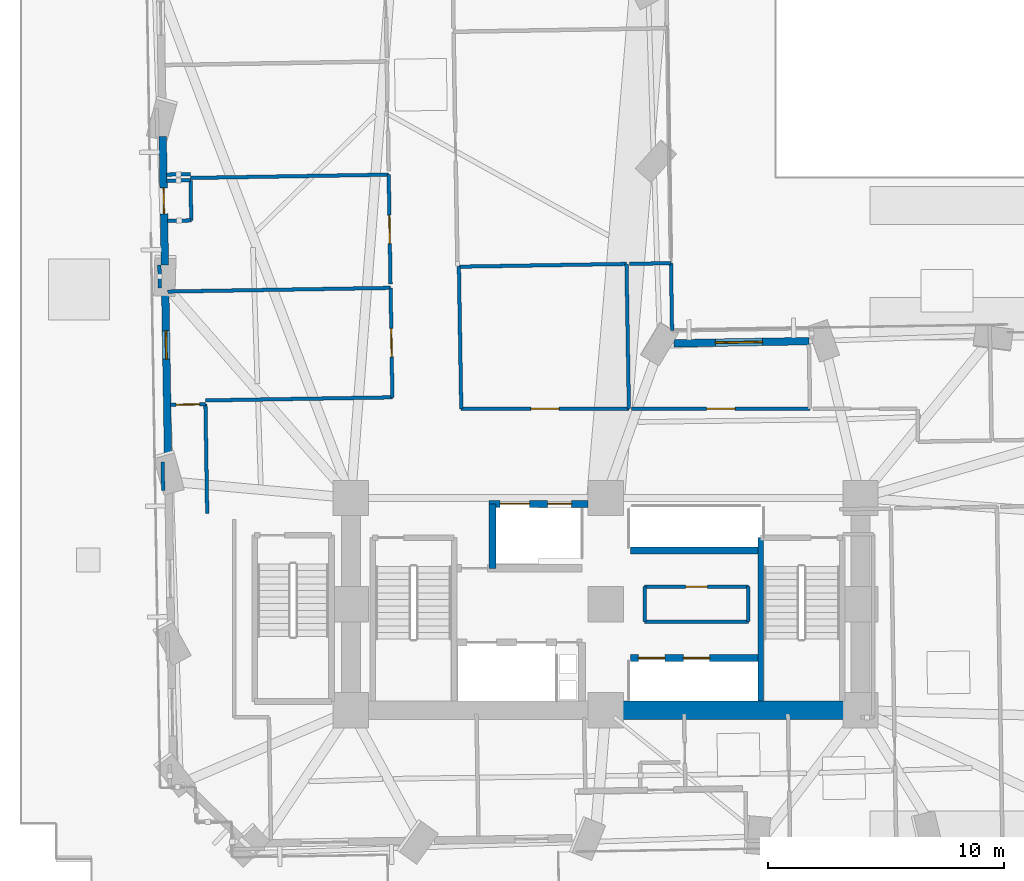
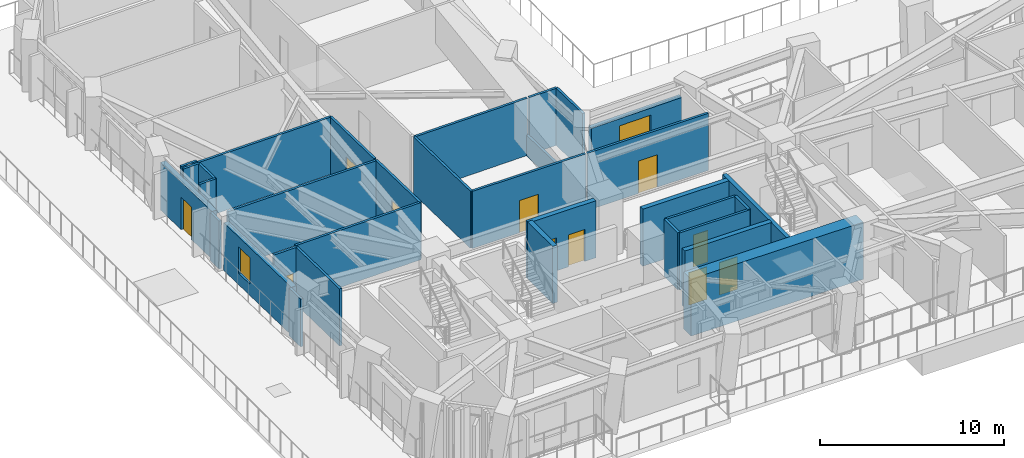
# One storey, part 7 of 17: 33 walls, 11 doors, 2 windows, 13 openings.
"""IFC4 building model written with IfcOpenShell, lengths in metres."""

from ifc_helpers import new_model, si_unit, direction, frame, frame_2d, origin, place, context, subcontext, project, spatial, rectangle, extrude, material, layer, layer_set, type_object, element, fill, save


model = new_model("IFC4")

# Units and contexts
model_context = context("Model", 3, precision=1e-05, world=origin(), true_north=direction((0.0, 1.0)))
body_context = subcontext(model_context, "Body", "Model", "MODEL_VIEW")
ifc_project = project(units=[si_unit("LENGTHUNIT", "METRE"), si_unit("AREAUNIT", "SQUARE_METRE"), si_unit("VOLUMEUNIT", "CUBIC_METRE"), si_unit("PLANEANGLEUNIT", "RADIAN"), si_unit("MASSUNIT", "GRAM", prefix="KILO")], contexts=[model_context])

# Site, building, storey
site_placement = place(None, origin())
site = spatial("IfcSite", under=ifc_project, at=site_placement, CompositionType="ELEMENT")
building_placement = place(site_placement, origin())
building = spatial("IfcBuilding", under=site, at=building_placement, Name="Gaonmaruhae Medical Tower", CompositionType="ELEMENT")
storey_placement = place(building_placement, frame((0.0, 0.0, 27.0)))
storey = spatial("IfcBuildingStorey", under=building, at=storey_placement, Name="L05", CompositionType="ELEMENT", Elevation=27.0)

# Wall
ifc_material_1 = material(Name="Concrete C60/75", Category="concrete")
ifc_layer_1 = layer(ifc_material_1, 0.800048828125)
ifc_layer_set_1 = layer_set([ifc_layer_1], Name="Concrete C60/75")
wall_type_1 = type_object("IfcWallType", Name="CW-800 Lower Core Shear Wall", PredefinedType="SHEAR", material=ifc_layer_set_1)
wall_1_placement = place(storey_placement, frame((24.800048828125, 7.800048828125, 0.0), z_axis=(0.0, 0.0, 1.0), x_axis=(1.0, 0.0, 0.0)))
element("IfcWall", 1, at=wall_1_placement, inside=storey, type_object=wall_type_1, Name="L05 Core Shear Wall CSW-S2", PredefinedType="SHEAR", context=body_context, shape_type="SweptSolid", body=[
    extrude(rectangle(XDim=10.800048828125, YDim=0.800048828125, at=frame_2d((5.39990234375, 0.0))), origin(), (0.0, 0.0, 1.0), 3.780029296875),
])

# Wall, opening, window
ifc_material_2 = material(Name="Precast concrete C45/55", Category="concrete")
ifc_layer_2 = layer(ifc_material_2, 0.320068359375)
ifc_layer_set_2 = layer_set([ifc_layer_2], Name="Precast concrete C45/55")
wall_type_2 = type_object("IfcWallType", Name="EW-320 Lower Precast Masonry-Frame Facade Wall", PredefinedType="SOLIDWALL", material=ifc_layer_set_2)
wall_2_placement = place(storey_placement, frame((27.690185546875, 23.351806640625, 0.0), z_axis=(0.0, 0.0, 1.0), x_axis=(0.999862237026, 0.016598402607, 0.0)))
wall_2 = element("IfcWall", 2, at=wall_2_placement, inside=storey, type_object=wall_type_2, Name="L05 Precast Masonry-Frame Wall EN04-KN01", PredefinedType="SOLIDWALL", context=body_context, shape_type="SweptSolid", body=[
    extrude(rectangle(XDim=5.736328125, YDim=0.320068359375, at=frame_2d((2.8681640625, 0.0))), origin(), (0.0, 0.0, 1.0), 3.1650390625),
])
opening_1_placement = place(wall_2_placement, frame((1.756591796875, 0.0, 0.75)))
opening_1 = element("IfcOpeningElement", 3, at=opening_1_placement, cuts=wall_2, Name="Opening WN-02", PredefinedType="OPENING", context=body_context, shape_type="SweptSolid", body=[
    extrude(rectangle(XDim=2.0, YDim=1.949951171875, at=frame_2d((1.0, 0.97509765625))), frame((0.0, 0.169921875, 0.0), z_axis=(0.0, -1.0, 0.0), x_axis=(1.0, 0.0, 0.0)), (0.0, 0.0, 1.0), 0.340087890625),
])
ifc_material_3 = material(Name="Anodised aluminium and Low-E double glazing", Category="aluminium")
window_type_1 = type_object("IfcWindowType", Name="WN-02 Double-Bed Ward Punched Window 2000x1950", PartitioningType="SINGLE_PANEL", PredefinedType="WINDOW", material=ifc_material_3)
window_1_placement = place(opening_1_placement, origin())
window_1 = element("IfcWindow", 4, at=window_1_placement, inside=storey, type_object=window_type_1, Name="L05 Modular Facade Window EN04", OverallHeight=1.949951171875, OverallWidth=2.0, PartitioningType="SINGLE_PANEL", PredefinedType="WINDOW", context=body_context, shape_type="SweptSolid", body=[
    extrude(rectangle(XDim=2.0, YDim=1.949951171875, at=frame_2d((1.0, 0.97509765625))), frame((0.0, 0.030029296875, 0.0), z_axis=(0.0, -1.0, 0.0), x_axis=(1.0, 0.0, 0.0)), (0.0, 0.0, 1.0), 0.06005859375),
])
fill(opening_1, window_1)

# Wall, opening, door
wall_3_placement = place(storey_placement, frame((6.114990234375, 26.674560546875, 0.0), z_axis=(0.0, 0.0, 1.0), x_axis=(-0.016566358114, 0.999862768473, 0.0)))
wall_3 = element("IfcWall", 5, at=wall_3_placement, inside=storey, type_object=wall_type_2, Name="L05 Precast Masonry-Frame Wall W03-W04", PredefinedType="SOLIDWALL", context=body_context, shape_type="SweptSolid", body=[
    extrude(rectangle(XDim=5.43798828125, YDim=0.320068359375, at=frame_2d((2.718994140625, 0.0))), origin(), (0.0, 0.0, 1.0), 3.1650390625),
])
opening_2_placement = place(wall_3_placement, frame((2.1689453125, 0.0, 0.0)))
opening_2 = element("IfcOpeningElement", 6, at=opening_2_placement, cuts=wall_3, Name="Opening TD-01", PredefinedType="OPENING", context=body_context, shape_type="SweptSolid", body=[
    extrude(rectangle(XDim=1.10009765625, YDim=2.14990234375, at=frame_2d((0.550048828125, 1.074951171875))), frame((0.0, 0.169921875, 0.0), z_axis=(0.0, -1.0, 0.0), x_axis=(1.0, 0.0, 0.0)), (0.0, 0.0, 1.0), 0.340087890625),
])
ifc_material_4 = material(Name="Anodised aluminium and toughened safety glass", Category="aluminium")
door_type_1 = type_object("IfcDoorType", Name="TD-01 Terrace & Sky Garden Glazed Door 1100x2150", OperationType="NOTDEFINED", PredefinedType="DOOR", material=ifc_material_4)
door_1_placement = place(opening_2_placement, origin())
door_1 = element("IfcDoor", 7, at=door_1_placement, inside=storey, type_object=door_type_1, Name="L05 Outdoor Terrace Access Door SLB-L05-PODROOF1", OperationType="SINGLE_SWING_RIGHT", OverallHeight=2.14990234375, OverallWidth=1.10009765625, PredefinedType="DOOR", context=body_context, shape_type="SweptSolid", body=[
    extrude(rectangle(XDim=1.10009765625, YDim=2.14990234375, at=frame_2d((0.550048828125, 1.074951171875))), frame((0.0, 0.02490234375, 0.0), z_axis=(0.0, -1.0, 0.0), x_axis=(1.0, 0.0, 0.0)), (0.0, 0.0, 1.0), 0.050048828125),
])
fill(opening_2, door_1)

# Wall, opening, window
wall_4_placement = place(storey_placement, frame((6.253662109375, 18.323974609375, 0.0), z_axis=(0.0, 0.0, 1.0), x_axis=(-0.016592528305, 0.999862334526, 0.0)))
wall_4 = element("IfcWall", 8, at=wall_4_placement, inside=storey, type_object=wall_type_2, Name="L05 Precast Masonry-Frame Wall W04-W05", PredefinedType="SOLIDWALL", context=body_context, shape_type="SweptSolid", body=[
    extrude(rectangle(XDim=7.13623046875, YDim=0.320068359375, at=frame_2d((3.568115234375, 0.0))), origin(), (0.0, 0.0, 1.0), 3.1650390625),
])
opening_3_placement = place(wall_4_placement, frame((4.364013671875, 0.0, 0.75)))
opening_3 = element("IfcOpeningElement", 9, at=opening_3_placement, cuts=wall_4, Name="Opening WN-05", PredefinedType="OPENING", context=body_context, shape_type="SweptSolid", body=[
    extrude(rectangle(XDim=1.199951171875, YDim=1.75, at=frame_2d((0.60009765625, 0.875))), frame((0.0, 0.169921875, 0.0), z_axis=(0.0, -1.0, 0.0), x_axis=(1.0, 0.0, 0.0)), (0.0, 0.0, 1.0), 0.340087890625),
])
window_type_2 = type_object("IfcWindowType", Name="WN-05 Support & Staff Punched Window 1200x1750", PartitioningType="SINGLE_PANEL", PredefinedType="WINDOW", material=ifc_material_3)
window_2_placement = place(opening_3_placement, origin())
window_2 = element("IfcWindow", 10, at=window_2_placement, inside=storey, type_object=window_type_2, Name="L05 Modular Facade Window W04", OverallHeight=1.75, OverallWidth=1.199951171875, PartitioningType="SINGLE_PANEL", PredefinedType="WINDOW", context=body_context, shape_type="SweptSolid", body=[
    extrude(rectangle(XDim=1.199951171875, YDim=1.75, at=frame_2d((0.60009765625, 0.875))), frame((0.0, 0.030029296875, 0.0), z_axis=(0.0, -1.0, 0.0), x_axis=(1.0, 0.0, 0.0)), (0.0, 0.0, 1.0), 0.06005859375),
])
fill(opening_3, window_2)

# Wall
ifc_material_5 = material(Name="Gypsum board partition", Category="gypsum")
ifc_layer_3 = layer(ifc_material_5, 0.14990234375)
ifc_layer_set_3 = layer_set([ifc_layer_3], Name="Gypsum board partition")
wall_type_3 = type_object("IfcWallType", Name="PW-150 Rated Clinical Corridor Partition", PredefinedType="PARTITIONING", material=ifc_layer_set_3)
wall_5_placement = place(storey_placement, frame((26.449951171875, 11.56005859375, 0.0), z_axis=(0.0, 0.0, 1.0), x_axis=(0.0, 1.0, 0.0)))
element("IfcWall", 11, at=wall_5_placement, inside=storey, type_object=wall_type_3, Name="L05 Interior Partition L05-CS1-1", PredefinedType="PARTITIONING", context=body_context, shape_type="SweptSolid", body=[
    extrude(rectangle(XDim=1.47998046875, YDim=0.14990234375, at=frame_2d((0.739990234375, 0.0))), origin(), (0.0, 0.0, 1.0), 3.780029296875),
])

# Wall, opening, door
wall_6_placement = place(storey_placement, frame((26.449951171875, 13.0400390625, 0.0), z_axis=(0.0, 0.0, 1.0), x_axis=(1.0, 0.0, 0.0)))
wall_6 = element("IfcWall", 12, at=wall_6_placement, inside=storey, type_object=wall_type_3, Name="L05 Interior Partition L05-CS1-2", PredefinedType="PARTITIONING", context=body_context, shape_type="SweptSolid", body=[
    extrude(rectangle(XDim=4.400146484375, YDim=0.14990234375, at=frame_2d((2.2001953125, 0.0))), origin(), (0.0, 0.0, 1.0), 3.780029296875),
])
opening_4_placement = place(wall_6_placement, frame((1.739990234375, 0.0, 0.0)))
opening_4 = element("IfcOpeningElement", 13, at=opening_4_placement, cuts=wall_6, Name="Opening UD-01", PredefinedType="OPENING", context=body_context, shape_type="SweptSolid", body=[
    extrude(rectangle(XDim=0.919921875, YDim=2.10009765625, at=frame_2d((0.4599609375, 1.050048828125))), frame((0.0, 0.0849609375, 0.0), z_axis=(0.0, -1.0, 0.0), x_axis=(1.0, 0.0, 0.0)), (0.0, 0.0, 1.0), 0.169921875),
])
ifc_material_6 = material(Name="Powder-coated steel utility door", Category="steel")
door_type_2 = type_object("IfcDoorType", Name="UD-01 Toilet, Utility & Housekeeping Door 920x2100", OperationType="NOTDEFINED", PredefinedType="DOOR", material=ifc_material_6)
door_2_placement = place(opening_4_placement, origin())
door_2 = element("IfcDoor", 14, at=door_2_placement, inside=storey, type_object=door_type_2, Name="L05 Clean Linen Utility Store Door", OperationType="SINGLE_SWING_LEFT", OverallHeight=2.10009765625, OverallWidth=0.919921875, PredefinedType="DOOR", context=body_context, shape_type="SweptSolid", body=[
    extrude(rectangle(XDim=0.919921875, YDim=2.10009765625, at=frame_2d((0.4599609375, 1.050048828125))), frame((0.0, 0.02490234375, 0.0), z_axis=(0.0, -1.0, 0.0), x_axis=(1.0, 0.0, 0.0)), (0.0, 0.0, 1.0), 0.050048828125),
])
fill(opening_4, door_2)

# Walls
wall_7_placement = place(storey_placement, frame((30.85009765625, 13.0400390625, 0.0), z_axis=(0.0, 0.0, 1.0), x_axis=(0.0, -1.0, 0.0)))
element("IfcWall", 15, at=wall_7_placement, inside=storey, type_object=wall_type_3, Name="L05 Interior Partition L05-CS1-3", PredefinedType="PARTITIONING", context=body_context, shape_type="SweptSolid", body=[
    extrude(rectangle(XDim=1.47998046875, YDim=0.14990234375, at=frame_2d((0.739990234375, 0.0))), origin(), (0.0, 0.0, 1.0), 3.780029296875),
])
wall_8_placement = place(storey_placement, frame((30.85009765625, 11.56005859375, 0.0), z_axis=(0.0, 0.0, 1.0), x_axis=(-1.0, 0.0, 0.0)))
element("IfcWall", 16, at=wall_8_placement, inside=storey, type_object=wall_type_3, Name="L05 Interior Partition L05-CS1-4", PredefinedType="PARTITIONING", context=body_context, shape_type="SweptSolid", body=[
    extrude(rectangle(XDim=4.400146484375, YDim=0.14990234375, at=frame_2d((2.2001953125, 0.0))), origin(), (0.0, 0.0, 1.0), 3.780029296875),
])
wall_9_placement = place(storey_placement, frame((7.8359375, 20.77197265625, 0.0), z_axis=(0.0, 0.0, 1.0), x_axis=(0.015944501981, -0.999872878348, 0.0)))
element("IfcWall", 17, at=wall_9_placement, inside=storey, type_object=wall_type_3, Name="L05 Interior Partition L05-WCL13-43", PredefinedType="PARTITIONING", context=body_context, shape_type="SweptSolid", body=[
    extrude(rectangle(XDim=4.639404296875, YDim=0.14990234375, at=frame_2d((2.31982421875, 0.0))), origin(), (0.0, 0.0, 1.0), 3.780029296875),
])
wall_10_placement = place(storey_placement, frame((6.04296875, 17.110107421875, 0.0), z_axis=(0.0, 0.0, 1.0), x_axis=(-0.01654333702, 0.999863149636, 0.0)))
element("IfcWall", 18, at=wall_10_placement, inside=storey, type_object=wall_type_3, Name="L05 Interior Partition L05-WCL13-45", PredefinedType="PARTITIONING", context=body_context, shape_type="SweptSolid", body=[
    extrude(rectangle(XDim=1.210205078125, YDim=0.14990234375, at=frame_2d((0.60498046875, 0.0))), origin(), (0.0, 0.0, 1.0), 3.1650390625),
])

# Wall, opening, door
wall_11_placement = place(storey_placement, frame((6.347900390625, 20.748046875, 0.0), z_axis=(0.0, 0.0, 1.0), x_axis=(0.999870761908, 0.016076675089, 0.0)))
wall_11 = element("IfcWall", 19, at=wall_11_placement, inside=storey, type_object=wall_type_3, Name="L05 Interior Partition L05-WCL13-46", PredefinedType="PARTITIONING", context=body_context, shape_type="SweptSolid", body=[
    extrude(rectangle(XDim=1.48828125, YDim=0.14990234375, at=frame_2d((0.744140625, 0.0))), origin(), (0.0, 0.0, 1.0), 3.780029296875),
])
opening_5_placement = place(wall_11_placement, frame((0.244140625, 0.0, 0.0)))
opening_5 = element("IfcOpeningElement", 20, at=opening_5_placement, cuts=wall_11, Name="Opening CD-01", PredefinedType="OPENING", context=body_context, shape_type="SweptSolid", body=[
    extrude(rectangle(XDim=1.0, YDim=2.1201171875, at=frame_2d((0.5, 1.06005859375))), frame((0.0, 0.0849609375, 0.0), z_axis=(0.0, -1.0, 0.0), x_axis=(1.0, 0.0, 0.0)), (0.0, 0.0, 1.0), 0.169921875),
])
ifc_material_7 = material(Name="Antimicrobial laminate timber fire door", Category="wood")
door_type_3 = type_object("IfcDoorType", Name="CD-01 Consultation & Physician Office Door 1000x2120", OperationType="NOTDEFINED", PredefinedType="DOOR", material=ifc_material_7)
door_3_placement = place(opening_5_placement, origin())
door_3 = element("IfcDoor", 21, at=door_3_placement, inside=storey, type_object=door_type_3, Name="L05 Specialist Consultation Office Sliding Door", OperationType="SLIDING_TO_LEFT", OverallHeight=2.1201171875, OverallWidth=1.0, PredefinedType="DOOR", context=body_context, shape_type="SweptSolid", body=[
    extrude(rectangle(XDim=1.0, YDim=2.1201171875, at=frame_2d((0.5, 1.06005859375))), frame((0.0, 0.02490234375, 0.0), z_axis=(0.0, -1.0, 0.0), x_axis=(1.0, 0.0, 0.0)), (0.0, 0.0, 1.0), 0.050048828125),
])
fill(opening_5, door_3)

# Wall
wall_12_placement = place(storey_placement, frame((6.238037109375, 25.547119140625, 0.0), z_axis=(0.0, 0.0, 1.0), x_axis=(0.999864045783, 0.016489085771, 0.0)))
element("IfcWall", 22, at=wall_12_placement, inside=storey, type_object=wall_type_3, Name="L05 Interior Partition L05-WOF14-47", PredefinedType="PARTITIONING", context=body_context, shape_type="SweptSolid", body=[
    extrude(rectangle(XDim=9.4462890625, YDim=0.14990234375, at=frame_2d((4.72314453125, 0.0))), origin(), (0.0, 0.0, 1.0), 3.780029296875),
])

# Wall, opening, door
wall_13_placement = place(storey_placement, frame((15.68310546875, 25.702880859375, 0.0), z_axis=(0.0, 0.0, 1.0), x_axis=(0.016365367632, -0.999866078404, 0.0)))
wall_13 = element("IfcWall", 23, at=wall_13_placement, inside=storey, type_object=wall_type_3, Name="L05 Interior Partition L05-WOF14-48", PredefinedType="PARTITIONING", context=body_context, shape_type="SweptSolid", body=[
    extrude(rectangle(XDim=4.6396484375, YDim=0.14990234375, at=frame_2d((2.31982421875, 0.0))), origin(), (0.0, 0.0, 1.0), 3.780029296875),
])
opening_6_placement = place(wall_13_placement, frame((1.7197265625, 0.0, 0.0)))
opening_6 = element("IfcOpeningElement", 24, at=opening_6_placement, cuts=wall_13, Name="Opening CD-02", PredefinedType="OPENING", context=body_context, shape_type="SweptSolid", body=[
    extrude(rectangle(XDim=1.199951171875, YDim=2.14990234375, at=frame_2d((0.60009765625, 1.074951171875))), frame((0.0, 0.0849609375, 0.0), z_axis=(0.0, -1.0, 0.0), x_axis=(1.0, 0.0, 0.0)), (0.0, 0.0, 1.0), 0.169921875),
])
door_type_4 = type_object("IfcDoorType", Name="CD-02 Clinical Treatment & Procedure Door 1200x2150", OperationType="NOTDEFINED", PredefinedType="DOOR", material=ifc_material_7)
door_4_placement = place(opening_6_placement, origin())
door_4 = element("IfcDoor", 25, at=door_4_placement, inside=storey, type_object=door_type_4, Name="L05 Ward Physician Reporting Office Door", OperationType="SINGLE_SWING_RIGHT", OverallHeight=2.14990234375, OverallWidth=1.199951171875, PredefinedType="DOOR", context=body_context, shape_type="SweptSolid", body=[
    extrude(rectangle(XDim=1.199951171875, YDim=2.14990234375, at=frame_2d((0.60009765625, 1.074951171875))), frame((0.0, 0.02490234375, 0.0), z_axis=(0.0, -1.0, 0.0), x_axis=(1.0, 0.0, 0.0)), (0.0, 0.0, 1.0), 0.050048828125),
])
fill(opening_6, door_4)

# Wall
wall_14_placement = place(storey_placement, frame((15.759033203125, 21.06396484375, 0.0), z_axis=(0.0, 0.0, 1.0), x_axis=(-0.999863736357, -0.016507838062, 0.0)))
element("IfcWall", 26, at=wall_14_placement, inside=storey, type_object=wall_type_3, Name="L05 Interior Partition L05-WOF14-49", PredefinedType="PARTITIONING", context=body_context, shape_type="SweptSolid", body=[
    extrude(rectangle(XDim=7.927001953125, YDim=0.14990234375, at=frame_2d((3.96337890625, 0.0))), origin(), (0.0, 0.0, 1.0), 3.780029296875),
])

# Wall, opening, door
wall_15_placement = place(storey_placement, frame((15.60302734375, 30.501953125, 0.0), z_axis=(0.0, 0.0, 1.0), x_axis=(0.01657579721, -0.999862612036, 0.0)))
wall_15 = element("IfcWall", 27, at=wall_15_placement, inside=storey, type_object=wall_type_3, Name="L05 Interior Partition L05-WOF15-50", PredefinedType="PARTITIONING", context=body_context, shape_type="SweptSolid", body=[
    extrude(rectangle(XDim=4.6396484375, YDim=0.14990234375, at=frame_2d((2.31982421875, 0.0))), origin(), (0.0, 0.0, 1.0), 3.780029296875),
])
opening_7_placement = place(wall_15_placement, frame((1.7197265625, 0.0, 0.0)))
opening_7 = element("IfcOpeningElement", 28, at=opening_7_placement, cuts=wall_15, Name="Opening CD-02", PredefinedType="OPENING", context=body_context, shape_type="SweptSolid", body=[
    extrude(rectangle(XDim=1.199951171875, YDim=2.14990234375, at=frame_2d((0.60009765625, 1.074951171875))), frame((0.0, 0.0849609375, 0.0), z_axis=(0.0, -1.0, 0.0), x_axis=(1.0, 0.0, 0.0)), (0.0, 0.0, 1.0), 0.169921875),
])
door_5_placement = place(opening_7_placement, origin())
door_5 = element("IfcDoor", 29, at=door_5_placement, inside=storey, type_object=door_type_4, Name="L05 Ward Physician Reporting Office Door", OperationType="SINGLE_SWING_LEFT", OverallHeight=2.14990234375, OverallWidth=1.199951171875, PredefinedType="DOOR", context=body_context, shape_type="SweptSolid", body=[
    extrude(rectangle(XDim=1.199951171875, YDim=2.14990234375, at=frame_2d((0.60009765625, 1.074951171875))), frame((0.0, 0.02490234375, 0.0), z_axis=(0.0, -1.0, 0.0), x_axis=(1.0, 0.0, 0.0)), (0.0, 0.0, 1.0), 0.050048828125),
])
fill(opening_7, door_5)

# Walls
wall_16_placement = place(storey_placement, frame((5.90087890625, 25.700927734375, 0.0), z_axis=(0.0, 0.0, 1.0), x_axis=(-0.016358243814, 0.999866194978, 0.0)))
element("IfcWall", 30, at=wall_16_placement, inside=storey, type_object=wall_type_3, Name="L05 Interior Partition L05-WOF15-51", PredefinedType="PARTITIONING", context=body_context, shape_type="SweptSolid", body=[
    extrude(rectangle(XDim=0.97021484375, YDim=0.14990234375, at=frame_2d((0.485107421875, 0.0))), origin(), (0.0, 0.0, 1.0), 3.1650390625),
])
wall_17_placement = place(storey_placement, frame((6.218994140625, 28.5458984375, 0.0), z_axis=(0.0, 0.0, 1.0), x_axis=(0.99987398689, 0.015874833566, 0.0)))
element("IfcWall", 31, at=wall_17_placement, inside=storey, type_object=wall_type_3, Name="L05 Interior Partition L05-WOF15-52", PredefinedType="PARTITIONING", context=body_context, shape_type="SweptSolid", body=[
    extrude(rectangle(XDim=1.01513671875, YDim=0.14990234375, at=frame_2d((0.507568359375, 0.0))), origin(), (0.0, 0.0, 1.0), 3.780029296875),
])
wall_18_placement = place(storey_placement, frame((7.23388671875, 28.56201171875, 0.0), z_axis=(0.0, 0.0, 1.0), x_axis=(-0.016370059483, 0.999866001598, 0.0)))
element("IfcWall", 32, at=wall_18_placement, inside=storey, type_object=wall_type_3, Name="L05 Interior Partition L05-WOF15-53", PredefinedType="PARTITIONING", context=body_context, shape_type="SweptSolid", body=[
    extrude(rectangle(XDim=1.7001953125, YDim=0.14990234375, at=frame_2d((0.85009765625, 0.0))), origin(), (0.0, 0.0, 1.0), 3.780029296875),
])
wall_19_placement = place(storey_placement, frame((7.2060546875, 30.261962890625, 0.0), z_axis=(0.0, 0.0, 1.0), x_axis=(-0.99986233944, -0.016592232184, 0.0)))
element("IfcWall", 33, at=wall_19_placement, inside=storey, type_object=wall_type_3, Name="L05 Interior Partition L05-WOF15-54", PredefinedType="PARTITIONING", context=body_context, shape_type="SweptSolid", body=[
    extrude(rectangle(XDim=1.015380859375, YDim=0.14990234375, at=frame_2d((0.5078125, 0.0))), origin(), (0.0, 0.0, 1.0), 3.780029296875),
])
wall_20_placement = place(storey_placement, frame((7.2041015625, 30.363037109375, 0.0), z_axis=(0.0, 0.0, 1.0), x_axis=(0.999863246623, 0.016537474197, 0.0)))
element("IfcWall", 34, at=wall_20_placement, inside=storey, type_object=wall_type_3, Name="L05 Interior Partition L05-WOF15-55", PredefinedType="PARTITIONING", context=body_context, shape_type="SweptSolid", body=[
    extrude(rectangle(XDim=8.400146484375, YDim=0.14990234375, at=frame_2d((4.2001953125, 0.0))), origin(), (0.0, 0.0, 1.0), 3.780029296875),
])
wall_21_placement = place(storey_placement, frame((7.200927734375, 30.52294921875, 0.0), z_axis=(0.0, 0.0, 1.0), x_axis=(-0.999862007837, -0.016612202875, 0.0)))
element("IfcWall", 35, at=wall_21_placement, inside=storey, type_object=wall_type_3, Name="L05 Interior Partition L05-WOF16-58", PredefinedType="PARTITIONING", context=body_context, shape_type="SweptSolid", body=[
    extrude(rectangle(XDim=1.01416015625, YDim=0.14990234375, at=frame_2d((0.507080078125, 0.0))), origin(), (0.0, 0.0, 1.0), 3.780029296875),
])
wall_22_placement = place(storey_placement, frame((18.577880859375, 26.60107421875, 0.0), z_axis=(0.0, 0.0, 1.0), x_axis=(0.999862225883, 0.016599073868, 0.0)))
element("IfcWall", 36, at=wall_22_placement, inside=storey, type_object=wall_type_3, Name="L05 Interior Partition L05-IE01-71", PredefinedType="PARTITIONING", context=body_context, shape_type="SweptSolid", body=[
    extrude(rectangle(XDim=7.10400390625, YDim=0.14990234375, at=frame_2d((3.552001953125, 0.0))), origin(), (0.0, 0.0, 1.0), 3.780029296875),
])
wall_23_placement = place(storey_placement, frame((25.680908203125, 26.718994140625, 0.0), z_axis=(0.0, 0.0, 1.0), x_axis=(0.016621286784, -0.999861856871, 0.0)))
element("IfcWall", 37, at=wall_23_placement, inside=storey, type_object=wall_type_3, Name="L05 Interior Partition L05-IE01-72", PredefinedType="PARTITIONING", context=body_context, shape_type="SweptSolid", body=[
    extrude(rectangle(XDim=6.1396484375, YDim=0.14990234375, at=frame_2d((3.06982421875, 0.0))), origin(), (0.0, 0.0, 1.0), 1.364990234375),
])

# Wall, opening, door
wall_24_placement = place(storey_placement, frame((25.782958984375, 20.580078125, 0.0), z_axis=(0.0, 0.0, 1.0), x_axis=(-1.0, 0.0, 0.0)))
wall_24 = element("IfcWall", 38, at=wall_24_placement, inside=storey, type_object=wall_type_3, Name="L05 Interior Partition L05-IE01-73", PredefinedType="PARTITIONING", context=body_context, shape_type="SweptSolid", body=[
    extrude(rectangle(XDim=7.10498046875, YDim=0.14990234375, at=frame_2d((3.552490234375, 0.0))), origin(), (0.0, 0.0, 1.0), 3.780029296875),
])
opening_8_placement = place(wall_24_placement, frame((2.952392578125, 0.0, 0.0)))
opening_8 = element("IfcOpeningElement", 39, at=opening_8_placement, cuts=wall_24, Name="Opening CD-02", PredefinedType="OPENING", context=body_context, shape_type="SweptSolid", body=[
    extrude(rectangle(XDim=1.199951171875, YDim=2.14990234375, at=frame_2d((0.60009765625, 1.074951171875))), frame((0.0, 0.0849609375, 0.0), z_axis=(0.0, -1.0, 0.0), x_axis=(1.0, 0.0, 0.0)), (0.0, 0.0, 1.0), 0.169921875),
])
door_6_placement = place(opening_8_placement, origin())
door_6 = element("IfcDoor", 40, at=door_6_placement, inside=storey, type_object=door_type_4, Name="L05 Central Clinical Nurse Station Door", OperationType="SINGLE_SWING_LEFT", OverallHeight=2.14990234375, OverallWidth=1.199951171875, PredefinedType="DOOR", context=body_context, shape_type="SweptSolid", body=[
    extrude(rectangle(XDim=1.199951171875, YDim=2.14990234375, at=frame_2d((0.60009765625, 1.074951171875))), frame((0.0, 0.02490234375, 0.0), z_axis=(0.0, -1.0, 0.0), x_axis=(1.0, 0.0, 0.0)), (0.0, 0.0, 1.0), 0.050048828125),
])
fill(opening_8, door_6)

# Walls
wall_25_placement = place(storey_placement, frame((18.677978515625, 20.580078125, 0.0), z_axis=(0.0, 0.0, 1.0), x_axis=(-0.016622469923, 0.999861837202, 0.0)))
element("IfcWall", 41, at=wall_25_placement, inside=storey, type_object=wall_type_3, Name="L05 Interior Partition L05-IE01-74", PredefinedType="PARTITIONING", context=body_context, shape_type="SweptSolid", body=[
    extrude(rectangle(XDim=6.021728515625, YDim=0.14990234375, at=frame_2d((3.0107421875, 0.0))), origin(), (0.0, 0.0, 1.0), 3.780029296875),
])
wall_26_placement = place(storey_placement, frame((25.801025390625, 26.720947265625, 0.0), z_axis=(0.0, 0.0, 1.0), x_axis=(0.999864687212, 0.016450144861, 0.0)))
element("IfcWall", 42, at=wall_26_placement, inside=storey, type_object=wall_type_3, Name="L05 Interior Partition L05-IE02-75", PredefinedType="PARTITIONING", context=body_context, shape_type="SweptSolid", body=[
    extrude(rectangle(XDim=1.76611328125, YDim=0.14990234375, at=frame_2d((0.883056640625, 0.0))), origin(), (0.0, 0.0, 1.0), 3.780029296875),
])
wall_27_placement = place(storey_placement, frame((27.56689453125, 26.75, 0.0), z_axis=(0.0, 0.0, 1.0), x_axis=(0.016535870755, -0.999863273142, 0.0)))
element("IfcWall", 43, at=wall_27_placement, inside=storey, type_object=wall_type_3, Name="L05 Interior Partition L05-IE02-76", PredefinedType="PARTITIONING", context=body_context, shape_type="SweptSolid", body=[
    extrude(rectangle(XDim=2.849609375, YDim=0.14990234375, at=frame_2d((1.4248046875, 0.0))), origin(), (0.0, 0.0, 1.0), 3.780029296875),
])

# Wall, opening, door
wall_28_placement = place(storey_placement, frame((33.458984375, 20.580078125, 0.0), z_axis=(0.0, 0.0, 1.0), x_axis=(-1.0, 0.0, 0.0)))
wall_28 = element("IfcWall", 44, at=wall_28_placement, inside=storey, type_object=wall_type_3, Name="L05 Interior Partition L05-IE02-79", PredefinedType="PARTITIONING", context=body_context, shape_type="SweptSolid", body=[
    extrude(rectangle(XDim=7.555908203125, YDim=0.14990234375, at=frame_2d((3.77783203125, 0.0))), origin(), (0.0, 0.0, 1.0), 3.780029296875),
])
opening_9_placement = place(wall_28_placement, frame((3.177978515625, 0.0, 0.0)))
opening_9 = element("IfcOpeningElement", 45, at=opening_9_placement, cuts=wall_28, Name="Opening CD-02", PredefinedType="OPENING", context=body_context, shape_type="SweptSolid", body=[
    extrude(rectangle(XDim=1.199951171875, YDim=2.14990234375, at=frame_2d((0.60009765625, 1.074951171875))), frame((0.0, 0.0849609375, 0.0), z_axis=(0.0, -1.0, 0.0), x_axis=(1.0, 0.0, 0.0)), (0.0, 0.0, 1.0), 0.169921875),
])
door_7_placement = place(opening_9_placement, origin())
door_7 = element("IfcDoor", 46, at=door_7_placement, inside=storey, type_object=door_type_4, Name="L05 Acute Treatment Examination Room Door", OperationType="SINGLE_SWING_RIGHT", OverallHeight=2.14990234375, OverallWidth=1.199951171875, PredefinedType="DOOR", context=body_context, shape_type="SweptSolid", body=[
    extrude(rectangle(XDim=1.199951171875, YDim=2.14990234375, at=frame_2d((0.60009765625, 1.074951171875))), frame((0.0, 0.02490234375, 0.0), z_axis=(0.0, -1.0, 0.0), x_axis=(1.0, 0.0, 0.0)), (0.0, 0.0, 1.0), 0.050048828125),
])
fill(opening_9, door_7)

# Wall
ifc_material_8 = material(Name="Concrete C50/60", Category="concrete")
ifc_layer_4 = layer(ifc_material_8, 0.239990234375)
ifc_layer_set_4 = layer_set([ifc_layer_4], Name="Concrete C50/60")
wall_type_4 = type_object("IfcWallType", Name="SW-240 Dogleg Stair Tight Shaft Wall", PredefinedType="SOLIDWALL", material=ifc_layer_set_4)
wall_29_placement = place(storey_placement, frame((31.3701171875, 8.199951171875, 0.0), z_axis=(0.0, 0.0, 1.0), x_axis=(0.0, 1.0, 0.0)))
element("IfcWall", 47, at=wall_29_placement, inside=storey, type_object=wall_type_4, Name="L05 ST-02 Stair Shaft Wall SHW-ST-02-W", PredefinedType="SOLIDWALL", context=body_context, shape_type="SweptSolid", body=[
    extrude(rectangle(XDim=6.920166015625, YDim=0.239990234375, at=frame_2d((3.4599609375, 0.0))), origin(), (0.0, 0.0, 1.0), 3.780029296875),
])

# Wall, openings, doors
ifc_layer_5 = layer(ifc_material_8, 0.300048828125)
ifc_layer_set_5 = layer_set([ifc_layer_5], Name="Concrete C50/60")
wall_type_5 = type_object("IfcWallType", Name="SW-300 Stair & Lift Hoistway Shaft Wall", PredefinedType="SOLIDWALL", material=ifc_layer_set_5)
wall_30_placement = place(storey_placement, frame((19.85009765625, 16.550048828125, 0.0), z_axis=(0.0, 0.0, 1.0), x_axis=(1.0, 0.0, 0.0)))
wall_30 = element("IfcWall", 48, at=wall_30_placement, inside=storey, type_object=wall_type_5, Name="L05 Core Shear Wall CSW-NB", PredefinedType="SOLIDWALL", context=body_context, shape_type="SweptSolid", body=[
    extrude(rectangle(XDim=4.199951171875, YDim=0.300048828125, at=frame_2d((2.10009765625, 0.0))), origin(), (0.0, 0.0, 1.0), 3.780029296875),
])
opening_10_placement = place(wall_30_placement, frame((0.47509765625, 0.0, 0.0)))
opening_10 = element("IfcOpeningElement", 49, at=opening_10_placement, cuts=wall_30, Name="Opening LD-F1", PredefinedType="OPENING", context=body_context, shape_type="SweptSolid", body=[
    extrude(rectangle(XDim=1.25, YDim=2.179931640625, at=frame_2d((0.625, 1.08984375))), frame((0.0, 0.16015625, 0.0), z_axis=(0.0, -1.0, 0.0), x_axis=(1.0, 0.0, 0.0)), (0.0, 0.0, 1.0), 0.320068359375),
])
opening_11_placement = place(wall_30_placement, frame((2.489990234375, 0.0, 0.0)))
opening_11 = element("IfcOpeningElement", 50, at=opening_11_placement, cuts=wall_30, Name="Opening LD-S1", PredefinedType="OPENING", context=body_context, shape_type="SweptSolid", body=[
    extrude(rectangle(XDim=1.02001953125, YDim=2.1201171875, at=frame_2d((0.510009765625, 1.06005859375))), frame((0.0, 0.16015625, 0.0), z_axis=(0.0, -1.0, 0.0), x_axis=(1.0, 0.0, 0.0)), (0.0, 0.0, 1.0), 0.320068359375),
])
ifc_material_9 = material(Name="Brushed stainless steel 316L landing door", Category="steel")
door_type_5 = type_object("IfcDoorType", Name="LD-F1 Firefighting & Bed Lift Sliding Landing Door 1250x2180", OperationType="NOTDEFINED", PredefinedType="DOOR", material=ifc_material_9)
door_8_placement = place(opening_10_placement, origin())
door_8 = element("IfcDoor", 51, at=door_8_placement, inside=storey, type_object=door_type_5, Name="L05 Service/Bed Lift Landing Door BDL-01", OperationType="DOUBLE_DOOR_SLIDING", OverallHeight=2.179931640625, OverallWidth=1.25, PredefinedType="DOOR", context=body_context, shape_type="SweptSolid", body=[
    extrude(rectangle(XDim=1.25, YDim=2.179931640625, at=frame_2d((0.625, 1.08984375))), frame((0.0, 0.02490234375, 0.0), z_axis=(0.0, -1.0, 0.0), x_axis=(1.0, 0.0, 0.0)), (0.0, 0.0, 1.0), 0.050048828125),
])
fill(opening_10, door_8)
ifc_material_10 = material(Name="Brushed stainless steel 304 landing door", Category="steel")
door_type_6 = type_object("IfcDoorType", Name="LD-S1 Service Lift Sliding Landing Door 1020x2120", OperationType="NOTDEFINED", PredefinedType="DOOR", material=ifc_material_10)
door_9_placement = place(opening_11_placement, origin())
door_9 = element("IfcDoor", 52, at=door_9_placement, inside=storey, type_object=door_type_6, Name="L05 Service/Bed Lift Landing Door SVL-01", OperationType="SLIDING_TO_LEFT", OverallHeight=2.1201171875, OverallWidth=1.02001953125, PredefinedType="DOOR", context=body_context, shape_type="SweptSolid", body=[
    extrude(rectangle(XDim=1.02001953125, YDim=2.1201171875, at=frame_2d((0.510009765625, 1.06005859375))), frame((0.0, 0.02490234375, 0.0), z_axis=(0.0, -1.0, 0.0), x_axis=(1.0, 0.0, 0.0)), (0.0, 0.0, 1.0), 0.050048828125),
])
fill(opening_11, door_9)

# Wall
wall_31_placement = place(storey_placement, frame((20.0, 13.820068359375, 0.0), z_axis=(0.0, 0.0, 1.0), x_axis=(0.0, 1.0, 0.0)))
element("IfcWall", 53, at=wall_31_placement, inside=storey, type_object=wall_type_5, Name="L05 Shaft Enclosure Wall SHW-BDW", PredefinedType="SOLIDWALL", context=body_context, shape_type="SweptSolid", body=[
    extrude(rectangle(XDim=2.72998046875, YDim=0.300048828125, at=frame_2d((1.364990234375, 0.0))), origin(), (0.0, 0.0, 1.0), 3.780029296875),
])

# Wall, openings, doors
wall_32_placement = place(storey_placement, frame((25.85009765625, 10.02001953125, 0.0), z_axis=(0.0, 0.0, 1.0), x_axis=(1.0, 0.0, 0.0)))
wall_32 = element("IfcWall", 54, at=wall_32_placement, inside=storey, type_object=wall_type_5, Name="L05 Shaft Enclosure Wall SHW-PLS", PredefinedType="SOLIDWALL", context=body_context, shape_type="SweptSolid", body=[
    extrude(rectangle(XDim=5.449951171875, YDim=0.300048828125, at=frame_2d((2.72509765625, 0.0))), origin(), (0.0, 0.0, 1.0), 3.780029296875),
])
opening_12_placement = place(wall_32_placement, frame((0.340087890625, 0.0, 0.0)))
opening_12 = element("IfcOpeningElement", 55, at=opening_12_placement, cuts=wall_32, Name="Opening LD-P1", PredefinedType="OPENING", context=body_context, shape_type="SweptSolid", body=[
    extrude(rectangle(XDim=1.1201171875, YDim=2.14990234375, at=frame_2d((0.56005859375, 1.074951171875))), frame((0.0, 0.16015625, 0.0), z_axis=(0.0, -1.0, 0.0), x_axis=(1.0, 0.0, 0.0)), (0.0, 0.0, 1.0), 0.320068359375),
])
opening_13_placement = place(wall_32_placement, frame((2.239990234375, 0.0, 0.0)))
opening_13 = element("IfcOpeningElement", 56, at=opening_13_placement, cuts=wall_32, Name="Opening LD-P1", PredefinedType="OPENING", context=body_context, shape_type="SweptSolid", body=[
    extrude(rectangle(XDim=1.1201171875, YDim=2.14990234375, at=frame_2d((0.56005859375, 1.074951171875))), frame((0.0, 0.16015625, 0.0), z_axis=(0.0, -1.0, 0.0), x_axis=(1.0, 0.0, 0.0)), (0.0, 0.0, 1.0), 0.320068359375),
])
door_type_7 = type_object("IfcDoorType", Name="LD-P1 Passenger Lift Sliding Landing Door 1120x2150", OperationType="NOTDEFINED", PredefinedType="DOOR", material=ifc_material_10)
door_10_placement = place(opening_12_placement, origin())
door_10 = element("IfcDoor", 57, at=door_10_placement, inside=storey, type_object=door_type_7, Name="L05 Passenger Lift Landing Door PL-L1", OperationType="DOUBLE_DOOR_SLIDING", OverallHeight=2.14990234375, OverallWidth=1.1201171875, PredefinedType="DOOR", context=body_context, shape_type="SweptSolid", body=[
    extrude(rectangle(XDim=1.1201171875, YDim=2.14990234375, at=frame_2d((0.56005859375, 1.074951171875))), frame((0.0, 0.02490234375, 0.0), z_axis=(0.0, -1.0, 0.0), x_axis=(1.0, 0.0, 0.0)), (0.0, 0.0, 1.0), 0.050048828125),
])
fill(opening_12, door_10)
door_11_placement = place(opening_13_placement, origin())
door_11 = element("IfcDoor", 58, at=door_11_placement, inside=storey, type_object=door_type_7, Name="L05 Passenger Lift Landing Door PL-L2", OperationType="DOUBLE_DOOR_SLIDING", OverallHeight=2.14990234375, OverallWidth=1.1201171875, PredefinedType="DOOR", context=body_context, shape_type="SweptSolid", body=[
    extrude(rectangle(XDim=1.1201171875, YDim=2.14990234375, at=frame_2d((0.56005859375, 1.074951171875))), frame((0.0, 0.02490234375, 0.0), z_axis=(0.0, -1.0, 0.0), x_axis=(1.0, 0.0, 0.0)), (0.0, 0.0, 1.0), 0.050048828125),
])
fill(opening_13, door_11)

# Wall
wall_33_placement = place(storey_placement, frame((25.85009765625, 14.580078125, 0.0), z_axis=(0.0, 0.0, 1.0), x_axis=(1.0, 0.0, 0.0)))
element("IfcWall", 59, at=wall_33_placement, inside=storey, type_object=wall_type_5, Name="L05 Shaft Enclosure Wall SHW-PLN", PredefinedType="SOLIDWALL", context=body_context, shape_type="SweptSolid", body=[
    extrude(rectangle(XDim=5.449951171875, YDim=0.300048828125, at=frame_2d((2.72509765625, 0.0))), origin(), (0.0, 0.0, 1.0), 3.780029296875),
])

save(model, "model.ifc")
